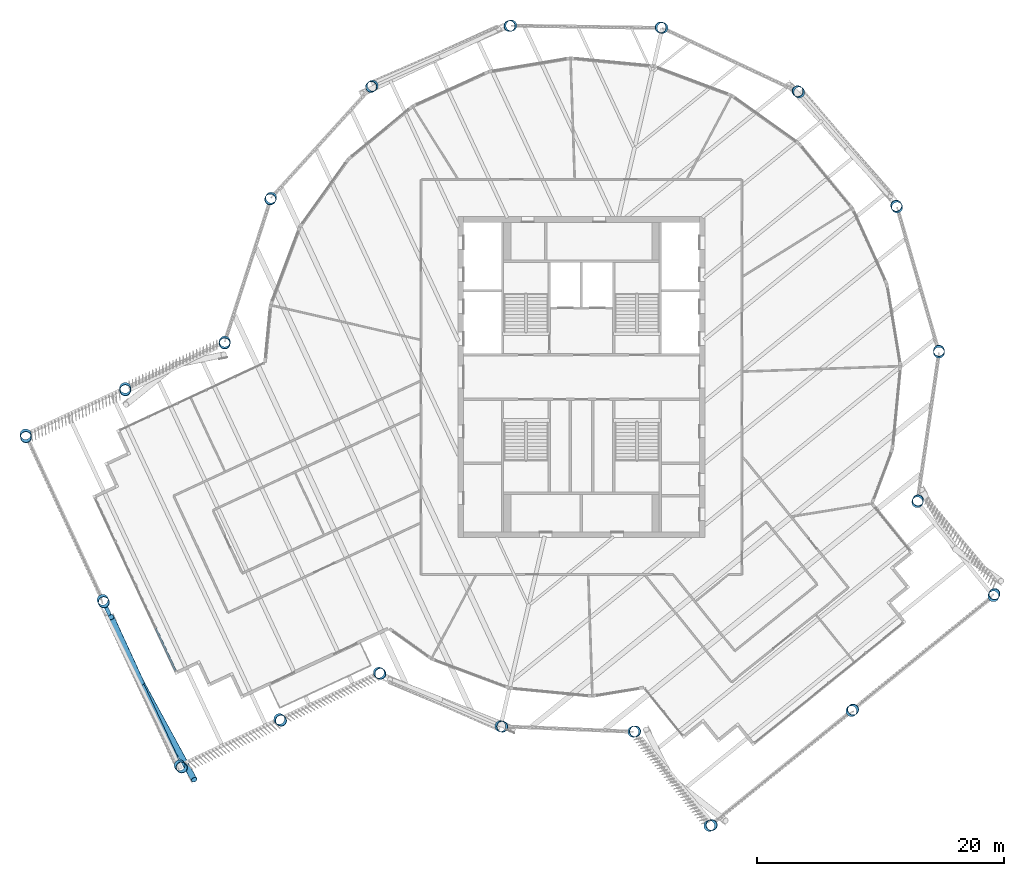
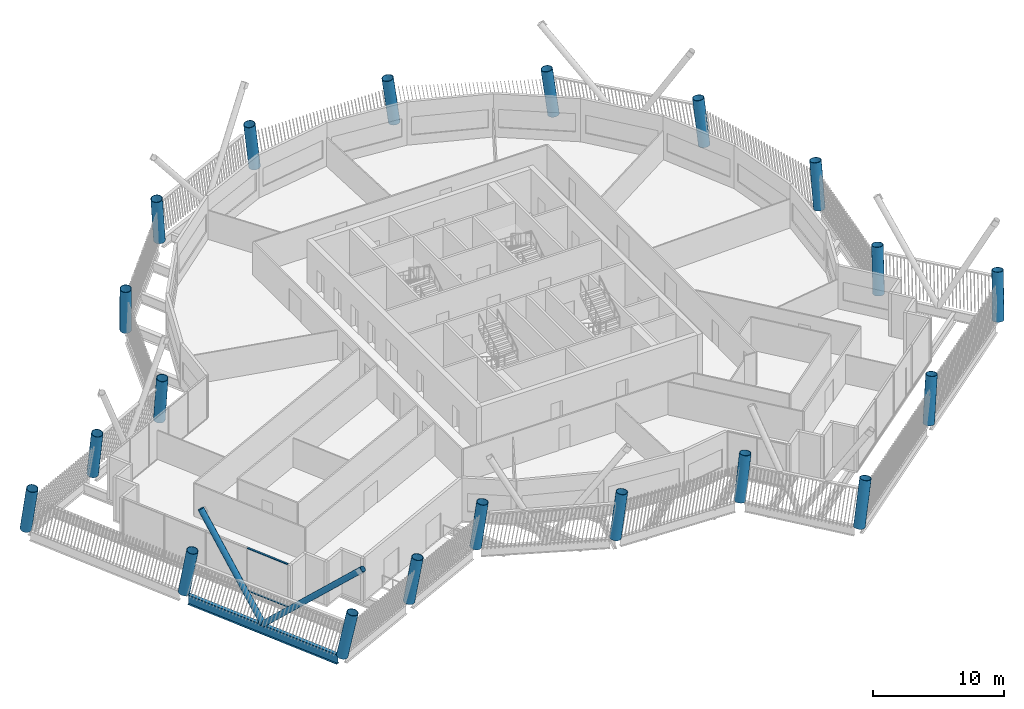
# One storey, part 1 of 36: 20 columns, 4 members, 1 beam, 1 element without a shape of its own.
"""IFC4 building model written with IfcOpenShell, lengths in metres."""

from ifc_helpers import new_model, si_unit, direction, frame, origin, origin_2d, place, context, subcontext, project, spatial, hollow_rectangle, hollow_circle, i_section, extrude, material, layer, layer_set, material_profile, profile_set, type_object, element, aggregate, save


model = new_model("IFC4")

# Units and contexts
model_context = context("Model", 3, precision=1e-05, world=origin(), true_north=direction((0.0, 1.0)))
body_context = subcontext(model_context, "Body", "Model", "MODEL_VIEW")
ifc_project = project(units=[si_unit("LENGTHUNIT", "METRE"), si_unit("AREAUNIT", "SQUARE_METRE"), si_unit("VOLUMEUNIT", "CUBIC_METRE"), si_unit("PLANEANGLEUNIT", "RADIAN"), si_unit("MASSUNIT", "GRAM", prefix="KILO")], contexts=[model_context])

# Site, building, storey
site_placement = place(None, origin())
site = spatial("IfcSite", under=ifc_project, at=site_placement, CompositionType="ELEMENT")
building_placement = place(site_placement, origin())
building = spatial("IfcBuilding", under=site, at=building_placement, Name="Tarsis Ring Headquarters", CompositionType="ELEMENT")
storey_placement = place(building_placement, frame((0.0, 0.0, 386.0)))
storey = spatial("IfcBuildingStorey", under=building, at=storey_placement, Name="L91", CompositionType="ELEMENT", Elevation=386.0)

# Columns
ifc_material_1 = material(Name="Structural steel S355", Category="steel")
ifc_material_profile_1 = material_profile(ifc_material_1, hollow_circle(Radius=0.45703125, WallThickness=0.0400390625, at=origin_2d()), Name="CHS 914x40")
ifc_profile_set_1 = profile_set([ifc_material_profile_1], Name="Structural steel S355")
column_type = type_object("IfcColumnType", Name="XC Exo column CHS 914x40", PredefinedType="COLUMN", material=ifc_profile_set_1)
for number, where, z_axis, x_axis, name in (
    (1, (-6.55419921875, -28.299560546875, 0.0009765625), (0.12163840954, -0.027005111795, 0.992207045561), (0.216734313789, 0.976230627068, 0.0), "Exo column XC8 F1"),
    (2, (4.20849609375, -28.741943359375, 0.0009765625), (0.123081558925, 0.019157560977, 0.992211629497), (-0.153797465801, 0.988102393233, 0.0), "Exo column XC8 AK"),
):
    element("IfcColumn", number, at=place(storey_placement, frame(where, z_axis=z_axis, x_axis=x_axis)), inside=storey, type_object=column_type, Name=name, PredefinedType="COLUMN", context=body_context, shape_type="SweptSolid", body=[
        extrude(hollow_circle(Radius=0.457275390625, WallThickness=0.0400390625, at=origin_2d()), origin(), (0.0, 0.0, 1.0), 4.23095703125),
    ])
column_1_placement = place(storey_placement, frame((10.373291015625, -36.36572265625, 0.001220703125), z_axis=(0.154697573193, 0.045634349049, 0.986907375104), x_axis=(-0.282936962151, 0.959138506916, 0.0)))
element("IfcColumn", 3, at=column_1_placement, inside=storey, type_object=column_type, Name="Exo column XC8 AT1", PredefinedType="COLUMN", context=body_context, shape_type="SweptSolid", body=[
    extrude(hollow_circle(Radius=0.457275390625, WallThickness=0.0400390625, at=origin_2d()), origin(), (0.0, 0.0, 1.0), 4.253173828125),
])
column_2_placement = place(storey_placement, frame((21.881591796875, -27.059814453125, 0.001220703125), z_axis=(0.114802545923, 0.094556806361, 0.988877841708), x_axis=(-0.6357614713, 0.771885581943, 0.0)))
element("IfcColumn", 4, at=column_2_placement, inside=storey, type_object=column_type, Name="Exo column XC8 AT2", PredefinedType="COLUMN", context=body_context, shape_type="SweptSolid", body=[
    extrude(hollow_circle(Radius=0.457275390625, WallThickness=0.0400390625, at=origin_2d()), origin(), (0.0, 0.0, 1.0), 4.24462890625),
])
column_3_placement = place(storey_placement, frame((33.389892578125, -17.75390625, 0.001220703125), z_axis=(0.074392646391, 0.143102521182, 0.986908001079), x_axis=(-0.887269239828, 0.461251879189, 0.0)))
element("IfcColumn", 5, at=column_3_placement, inside=storey, type_object=column_type, Name="Exo column XC8 AT3", PredefinedType="COLUMN", context=body_context, shape_type="SweptSolid", body=[
    extrude(hollow_circle(Radius=0.457275390625, WallThickness=0.0400390625, at=origin_2d()), origin(), (0.0, 0.0, 1.0), 4.253173828125),
])
for number, where, z_axis, x_axis, name in (
    (6, (27.224853515625, -10.130126953125, 0.0009765625), (0.042411984656, 0.117137862383, 0.992209627425), (-0.940265849956, 0.340441083605, 0.0), "Exo column XC8 AJ"),
    (7, (28.980224609375, 1.992431640625, 0.0009765625), (-0.009694196924, 0.124178046308, 0.992212595849), (-0.996966636407, -0.077830109162, 0.0), "Exo column XC8 R1"),
    (8, (25.58251953125, 13.760498046875, 0.0009765625), (-0.060011501816, 0.109174770612, 0.992209397815), (-0.87633323304, -0.481705371227, 0.0), "Exo column XC8 R2"),
    (9, (17.63623046875, 23.08203125, 0.0009765625), (-0.099653998738, 0.074726073171, 0.992212222523), (-0.599925875309, -0.800055588153, 0.0), "Exo column XC8 R3"),
    (10, (6.55419921875, 28.299560546875, 0.0009765625), (-0.12163840954, 0.027005111795, 0.992207045561), (-0.216734313789, -0.976230627068, 0.0), "Exo column XC8 R4"),
    (11, (-5.693359375, 28.485107421875, 0.0009765625), (-0.121927444329, -0.025504936296, 0.992211266084), (0.204749624303, -0.978814380436, 0.0), "Exo column XC8 R5"),
    (12, (-16.928466796875, 23.60595703125, 0.0009765625), (-0.100576992184, -0.073514106737, 0.992209627425), (0.590097878248, -0.807331712549, 0.0), "Exo column XC8 R6"),
    (13, (-25.153564453125, 14.529541015625, 0.0009765625), (-0.061339129712, -0.108367719284, 0.99221668429), (0.870260603207, -0.492591598088, 0.0), "Exo column XC8 R7"),
    (14, (-28.906494140625, 2.869873046875, 0.0009765625), (-0.011136777946, -0.124062552246, 0.992211900406), (0.99599509125, -0.089407931447, 0.0), "Exo column XC8 BJ"),
):
    element("IfcColumn", number, at=place(storey_placement, frame(where, z_axis=z_axis, x_axis=x_axis)), inside=storey, type_object=column_type, Name=name, PredefinedType="COLUMN", context=body_context, shape_type="SweptSolid", body=[
        extrude(hollow_circle(Radius=0.457275390625, WallThickness=0.0400390625, at=origin_2d()), origin(), (0.0, 0.0, 1.0), 4.23095703125),
    ])
column_4_placement = place(storey_placement, frame((-36.977294921875, -0.88671875, 0.001220703125), z_axis=(0.005226489365, -0.157771058097, 0.987461886371), x_axis=(0.999451750552, 0.033108885803, 0.0)))
element("IfcColumn", 15, at=column_4_placement, inside=storey, type_object=column_type, Name="Exo column XC8 BO1", PredefinedType="COLUMN", context=body_context, shape_type="SweptSolid", body=[
    extrude(hollow_circle(Radius=0.457275390625, WallThickness=0.0400390625, at=origin_2d()), origin(), (0.0, 0.0, 1.0), 4.250732421875),
])
column_5_placement = place(storey_placement, frame((-45.0478515625, -4.6435546875, 0.00146484375), z_axis=(0.021407490903, -0.190897732214, 0.981376469643), x_axis=(0.993770871684, 0.111442606723, 0.0)))
element("IfcColumn", 16, at=column_5_placement, inside=storey, type_object=column_type, Name="Exo column XC8 BT3", PredefinedType="COLUMN", context=body_context, shape_type="SweptSolid", body=[
    extrude(hollow_circle(Radius=0.457275390625, WallThickness=0.0400390625, at=origin_2d()), origin(), (0.0, 0.0, 1.0), 4.276611328125),
])
column_6_placement = place(storey_placement, frame((-38.802490234375, -18.061279296875, 0.001220703125), z_axis=(0.078240748904, -0.164145430815, 0.98332835958), x_axis=(0.902697666554, 0.430275403431, 0.0)))
element("IfcColumn", 17, at=column_6_placement, inside=storey, type_object=column_type, Name="Exo column XC8 BT2", PredefinedType="COLUMN", context=body_context, shape_type="SweptSolid", body=[
    extrude(hollow_circle(Radius=0.457275390625, WallThickness=0.0400390625, at=origin_2d()), origin(), (0.0, 0.0, 1.0), 4.2685546875),
])
column_7_placement = place(storey_placement, frame((-32.55712890625, -31.47900390625, 0.00146484375), z_axis=(0.134782228396, -0.136837357672, 0.98138131654), x_axis=(0.712436503252, 0.7017365808, 0.0)))
element("IfcColumn", 18, at=column_7_placement, inside=storey, type_object=column_type, Name="Exo column XC8 BT1", PredefinedType="COLUMN", context=body_context, shape_type="SweptSolid", body=[
    extrude(hollow_circle(Radius=0.457275390625, WallThickness=0.0400390625, at=origin_2d()), origin(), (0.0, 0.0, 1.0), 4.276611328125),
])
column_8_placement = place(storey_placement, frame((-24.486328125, -27.72216796875, 0.001220703125), z_axis=(0.119289674758, -0.103437989523, 0.987456609588), x_axis=(0.655124396917, 0.755521028538, 0.0)))
element("IfcColumn", 19, at=column_8_placement, inside=storey, type_object=column_type, Name="Exo column XC8 BI1", PredefinedType="COLUMN", context=body_context, shape_type="SweptSolid", body=[
    extrude(hollow_circle(Radius=0.457275390625, WallThickness=0.0400390625, at=origin_2d()), origin(), (0.0, 0.0, 1.0), 4.250732421875),
])
column_9_placement = place(storey_placement, frame((-16.41552734375, -23.965576171875, 0.0009765625), z_axis=(0.103404914377, -0.069417473212, 0.992214008214), x_axis=(0.557370316403, 0.830264012464, 0.0)))
element("IfcColumn", 20, at=column_9_placement, inside=storey, type_object=column_type, Name="Exo column XC8 BK", PredefinedType="COLUMN", context=body_context, shape_type="SweptSolid", body=[
    extrude(hollow_circle(Radius=0.457275390625, WallThickness=0.0400390625, at=origin_2d()), origin(), (0.0, 0.0, 1.0), 4.23095703125),
])

# Curtain wall, members
ifc_material_2 = material(Name="Aluminium curtain wall", Category="aluminium")
ifc_layer = layer(ifc_material_2, 0.199951171875)
ifc_layer_set = layer_set([ifc_layer], Name="Curtain wall executive tip")
curtain_wall_type = type_object("IfcCurtainWallType", Name="Curtain wall executive tip", PredefinedType="NOTDEFINED", material=ifc_layer_set)
curtain_wall_placement = place(storey_placement, origin())
curtain_wall = element("IfcCurtainWall", 21, at=curtain_wall_placement, inside=storey, type_object=curtain_wall_type, Name="Curtain wall L91-36", PredefinedType="NOTDEFINED")
ifc_material_3 = material(Name="Aluminium transom", Category="aluminium")
ifc_material_profile_2 = material_profile(ifc_material_3, hollow_rectangle(XDim=0.159912109375, YDim=0.070068359375, WallThickness=0.0048828125, at=origin_2d()), Name="RHS 160x70x5")
ifc_profile_set_2 = profile_set([ifc_material_profile_2], Name="Aluminium transom")
member_type_1 = type_object("IfcMemberType", Name="Curtain wall transom executive tip RHS 160x70x5", PredefinedType="USERDEFINED", material=ifc_profile_set_2)
member_1_placement = place(storey_placement, frame((-34.500732421875, -20.37158203125, 0.034912109375), z_axis=(0.42198828276, -0.906601284586, 0.0), x_axis=(0.906601284586, 0.42198828276, 0.0)))
member_1 = element("IfcMember", 22, at=member_1_placement, type_object=member_type_1, Name="CW-E transom 4.1", ObjectType="TRANSOM", PredefinedType="USERDEFINED", context=body_context, shape_type="SweptSolid", body=[
    extrude(hollow_rectangle(XDim=0.159912109375, YDim=0.070068359375, WallThickness=0.0048828125, at=origin_2d()), origin(), (0.0, 0.0, 1.0), 3.769775390625),
])
member_2_placement = place(storey_placement, frame((-34.500732421875, -20.37158203125, 4.0048828125), z_axis=(0.42198828276, -0.906601284586, 0.0), x_axis=(0.906601284586, 0.42198828276, 0.0)))
member_2 = element("IfcMember", 23, at=member_2_placement, type_object=member_type_1, Name="CW-E transom 4.2", ObjectType="TRANSOM", PredefinedType="USERDEFINED", context=body_context, shape_type="SweptSolid", body=[
    extrude(hollow_rectangle(XDim=0.159912109375, YDim=0.070068359375, WallThickness=0.0048828125, at=origin_2d()), origin(), (0.0, 0.0, 1.0), 3.769775390625),
])
aggregate(curtain_wall, [member_1, member_2])

# Members
ifc_material_profile_3 = material_profile(ifc_material_1, hollow_circle(Radius=0.25390625, WallThickness=0.02001953125, at=origin_2d()), Name="CHS 508x20")
ifc_profile_set_3 = profile_set([ifc_material_profile_3], Name="Structural steel S355")
member_type_2 = type_object("IfcMemberType", Name="XD X brace CHS 508x20", PredefinedType="BRACE", material=ifc_profile_set_3)
member_3_placement = place(storey_placement, frame((-35.679931640625, -24.769775390625, 0.0), z_axis=(0.348992409277, -0.640720487131, 0.683872470303), x_axis=(0.87817860794, 0.478332867945, 0.0)))
element("IfcMember", 24, at=member_3_placement, inside=storey, type_object=member_type_2, Name="X brace XD2", PredefinedType="BRACE", context=body_context, shape_type="SweptSolid", body=[
    extrude(hollow_circle(Radius=0.25390625, WallThickness=0.02001953125, at=origin_2d()), origin(), (0.0, 0.0, 1.0), 12.282958984375),
])
member_4_placement = place(storey_placement, frame((-35.679931640625, -24.769775390625, 0.0), z_axis=(-0.238576153414, 0.519065945618, 0.820763037132), x_axis=(-0.908619461758, -0.417625039617, 0.0)))
element("IfcMember", 25, at=member_4_placement, inside=storey, type_object=member_type_2, Name="X brace XD2", PredefinedType="BRACE", context=body_context, shape_type="SweptSolid", body=[
    extrude(hollow_circle(Radius=0.25390625, WallThickness=0.02001953125, at=origin_2d()), origin(), (0.0, 0.0, 1.0), 10.234375),
])

# Beam
ifc_material_profile_4 = material_profile(ifc_material_1, i_section(OverallWidth=0.3046875, OverallDepth=0.91943359375, WebThickness=0.017333984375, FlangeThickness=0.02783203125, at=origin_2d()), Name="W36x170")
ifc_profile_set_4 = profile_set([ifc_material_profile_4], Name="Structural steel S355")
beam_type = type_object("IfcBeamType", Name="XG Ring girder W36x170", PredefinedType="BEAM", material=ifc_profile_set_4)
beam_placement = place(storey_placement, frame((-38.62890625, -18.43408203125, -0.459716796875), z_axis=(0.421975867257, -0.906607063425, 0.0), x_axis=(0.906607063425, 0.421975867257, 0.0)))
element("IfcBeam", 26, at=beam_placement, inside=storey, type_object=beam_type, Name="Ring girder XG4", PredefinedType="BEAM", context=body_context, shape_type="SweptSolid", body=[
    extrude(i_section(OverallWidth=0.3046875, OverallDepth=0.91943359375, WebThickness=0.017333984375, FlangeThickness=0.02783203125, at=origin_2d()), origin(), (0.0, 0.0, 1.0), 13.97705078125),
])

save(model, "model.ifc")
